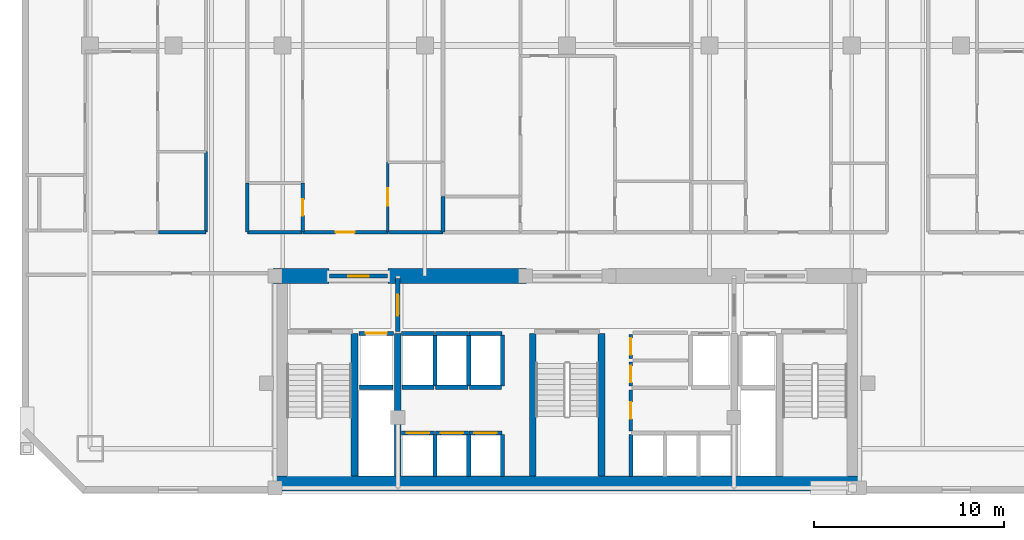
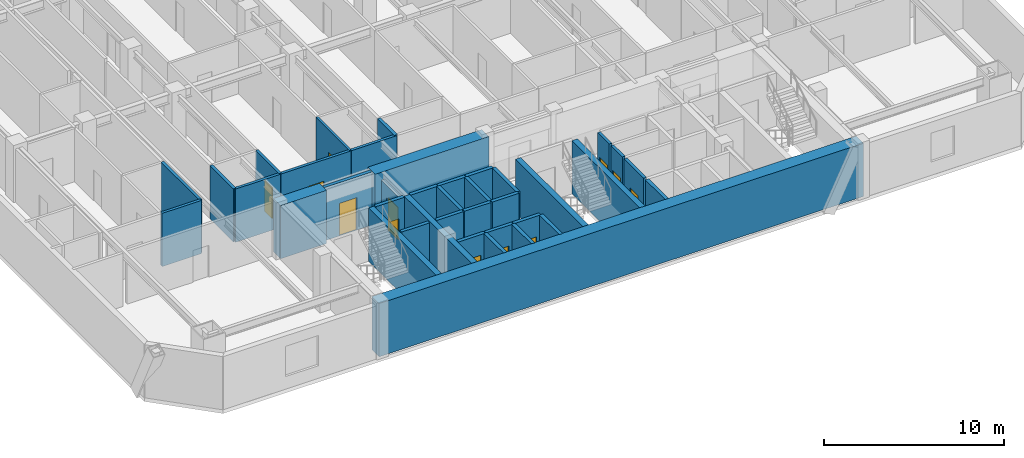
# One storey, part 3 of 10: 39 walls, 12 doors, 12 openings.
"""IFC4 building model written with IfcOpenShell, lengths in metres."""

import ifcopenshell
import ifcopenshell.guid

model = None  # the IFC model being written
_history = None  # IfcOwnerHistory: only IFC2X3 demands one
_inside = {}  # id of a spatial element -> (the spatial element, [elements in it])
_under = {}  # id of a project, library or spatial element -> (it, [spatial elements below it])
_declared = {}  # id of a project -> (the project, [libraries it declares])
_typed = {}  # id of a type object -> (the type object, [elements of that type])
_made_of = {}  # id of a material, layer set ... -> (it, [elements and type objects made of it])


def new_model(schema):
    """Start an empty IFC model of exactly this schema.

    Asked for "IFC4X3", IfcOpenShell would pick the latest addendum, in which some entities
    have other attributes; the version numbers below select the first issue.
    IFC2X3 requires an IfcOwnerHistory on every rooted entity: one is made here for all.
    """
    global model, _history
    if schema == "IFC4X3":
        model = ifcopenshell.file(schema_version=(4, 3, 0, 0))
    else:
        model = ifcopenshell.file(schema=schema)
    _inside.clear()
    _under.clear()
    _declared.clear()
    _typed.clear()
    _made_of.clear()
    _history = None
    if model.schema == "IFC2X3":
        org = make("IfcOrganization", Name="unknown")
        user = make(
            "IfcPersonAndOrganization",
            ThePerson=make("IfcPerson", FamilyName="unknown"),
            TheOrganization=org,
        )
        app = make(
            "IfcApplication",
            ApplicationDeveloper=org,
            Version="unknown",
            ApplicationFullName="unknown",
            ApplicationIdentifier="unknown",
        )
        _history = make(
            "IfcOwnerHistory",
            OwningUser=user,
            OwningApplication=app,
            ChangeAction="ADDED",
            CreationDate=0,
        )
    return model


def make(cls, **values):
    """One entity of the class cls with the attributes given. An attribute that is None is left unset."""
    return model.create_entity(
        cls, **{name: value for name, value in values.items() if value is not None}
    )


def rooted(cls, **values):
    """An entity with a GlobalId (a new one), such as an element, a storey or a relation."""
    return make(cls, GlobalId=ifcopenshell.guid.new(), OwnerHistory=_history, **values)


def si_unit(unit_type, name, prefix=None):
    """IfcSIUnit, for example si_unit("LENGTHUNIT", "METRE", prefix="MILLI")."""
    return make("IfcSIUnit", UnitType=unit_type, Prefix=prefix, Name=name)


def assignment(units):
    """IfcUnitAssignment: the units of a project."""
    return None if units is None else make("IfcUnitAssignment", Units=units)


def point(xyz):
    """IfcCartesianPoint."""
    return None if xyz is None else make("IfcCartesianPoint", Coordinates=xyz)


def direction(xyz):
    """IfcDirection."""
    return None if xyz is None else make("IfcDirection", DirectionRatios=xyz)


def frame(location, z_axis=None, x_axis=None):
    """IfcAxis2Placement3D, a coordinate frame: its origin and axes. An axis left out is left unset."""
    return make(
        "IfcAxis2Placement3D",
        Location=point(location),
        Axis=direction(z_axis),
        RefDirection=direction(x_axis),
    )


def frame_2d(location, x_axis=None):
    """IfcAxis2Placement2D, a coordinate frame in the plane: its origin and x axis."""
    return make(
        "IfcAxis2Placement2D", Location=point(location), RefDirection=direction(x_axis)
    )


def origin():
    """The frame at (0, 0, 0) with its axes left unset."""
    return frame((0.0, 0.0, 0.0))


def place(relative_to, where):
    """IfcLocalPlacement: puts the frame where relative to a parent placement (None: the world)."""
    return make(
        "IfcLocalPlacement", PlacementRelTo=relative_to, RelativePlacement=where
    )


def context(
    kind, dimensions, precision=None, world=None, true_north=None, identifier=None
):
    """IfcGeometricRepresentationContext, for example the 3D "Model" context."""
    return make(
        "IfcGeometricRepresentationContext",
        ContextIdentifier=identifier,
        ContextType=kind,
        CoordinateSpaceDimension=dimensions,
        Precision=precision,
        WorldCoordinateSystem=world,
        TrueNorth=true_north,
    )


def subcontext(parent, identifier, kind, view, scale=None):
    """IfcGeometricRepresentationSubContext, for example "Body" below "Model"."""
    return make(
        "IfcGeometricRepresentationSubContext",
        ContextIdentifier=identifier,
        ContextType=kind,
        ParentContext=parent,
        TargetScale=scale,
        TargetView=view,
    )


def project(units=None, contexts=None):
    """IfcProject with its units and contexts."""
    return rooted(
        "IfcProject",
        Name="project",
        RepresentationContexts=contexts,
        UnitsInContext=assignment(units),
    )


def spatial(cls, under=None, at=None, **own):
    """A site, building, storey or space (cls), placed at a placement, below another one or the project."""
    s = rooted(cls, ObjectPlacement=at, **own)
    if under is not None:
        _under.setdefault(under.id(), (under, []))[1].append(s)
    return s


def profile(cls, at=None, kind="AREA", **sizes):
    """A parametric profile (cls). Its sizes go by their IFC names, for example OverallWidth=200.0."""
    return make(cls, ProfileType=kind, Position=at, **sizes)


def rectangle(**sizes):
    """IfcRectangleProfileDef."""
    return profile("IfcRectangleProfileDef", **sizes)


def extrude(swept, where, along, depth):
    """IfcExtrudedAreaSolid: the profile swept, set in the frame where, extruded along a direction by depth."""
    return make(
        "IfcExtrudedAreaSolid",
        SweptArea=swept,
        Position=where,
        ExtrudedDirection=direction(along),
        Depth=depth,
    )


def shape(context_of_items, identifier, shape_type, items):
    """IfcShapeRepresentation: the items that make up one representation, for example the "Body"."""
    return make(
        "IfcShapeRepresentation",
        ContextOfItems=context_of_items,
        RepresentationIdentifier=identifier,
        RepresentationType=shape_type,
        Items=items,
    )


def material(Name=None, Category=None):
    """IfcMaterial."""
    return make("IfcMaterial", Name=Name, Category=Category)


def layer(
    of_material, thickness, ventilated=None, Name=None, Category=None, Priority=None
):
    """IfcMaterialLayer: one layer of a wall or slab, of a material (None: an air gap)."""
    return make(
        "IfcMaterialLayer",
        Material=of_material,
        LayerThickness=thickness,
        IsVentilated=ventilated,
        Name=Name,
        Category=Category,
        Priority=Priority,
    )


def layer_set(layers, Name=None):
    """IfcMaterialLayerSet."""
    return make("IfcMaterialLayerSet", MaterialLayers=layers, LayerSetName=Name)


def made_of(thing, what):
    """Note that an element or type object is made of a material, layer set ...; save() writes the relation."""
    if what is not None:
        _made_of.setdefault(what.id(), (what, []))[1].append(thing)
    return thing


def type_object(cls, material=None, **own):
    """A type object (cls), such as IfcWallType, which elements share."""
    return made_of(rooted(cls, **own), material)


def element(
    cls,
    number,
    at=None,
    inside=None,
    cuts=None,
    type_object=None,
    material=None,
    context=None,
    identifier="Body",
    shape_type=None,
    held_by="IfcProductDefinitionShape",
    body=None,
    shapes=None,
    **own,
):
    """One element of the class cls, such as IfcWall. Its Tag is "e" and its number.

    at: its placement. inside: the storey or other place that contains it. cuts: it is an
    opening in that element (IfcRelVoidsElement). A single representation is given by context,
    identifier, shape_type and body (its items); several are given by shapes. held_by: the class
    of the entity that holds the representations. save() writes the other relations.
    """
    e = rooted(cls, Tag="e%d" % number, ObjectPlacement=at, **own)
    if body is not None:
        shapes = [shape(context, identifier, shape_type, body)]
    if shapes is not None:
        e.Representation = make(held_by, Representations=shapes)
    if inside is not None:
        _inside.setdefault(inside.id(), (inside, []))[1].append(e)
    if cuts is not None:
        rooted(
            "IfcRelVoidsElement", RelatingBuildingElement=cuts, RelatedOpeningElement=e
        )
    if type_object is not None:
        _typed.setdefault(type_object.id(), (type_object, []))[1].append(e)
    return made_of(e, material)


def fill(opening, filler):
    """IfcRelFillsElement: the door or window that sits in an opening."""
    return rooted(
        "IfcRelFillsElement",
        RelatingOpeningElement=opening,
        RelatedBuildingElement=filler,
    )


def aggregate(whole, parts):
    """IfcRelAggregates: a whole, such as a stair, and the parts it consists of."""
    return rooted("IfcRelAggregates", RelatingObject=whole, RelatedObjects=parts)


def save(model, path):
    """Write the relations noted so far, then the file.

    IfcRelAggregates (storeys below a building ...), IfcRelContainedInSpatialStructure (elements
    in a storey), IfcRelDefinesByType, IfcRelAssociatesMaterial and IfcRelDeclares: one each for
    every whole, place, type object, material and project.
    """
    for whole, parts in _under.values():
        aggregate(whole, parts)
    for where, things in _inside.values():
        rooted(
            "IfcRelContainedInSpatialStructure",
            RelatedElements=things,
            RelatingStructure=where,
        )
    for kind, things in _typed.values():
        rooted("IfcRelDefinesByType", RelatedObjects=things, RelatingType=kind)
    for what, things in _made_of.values():
        rooted("IfcRelAssociatesMaterial", RelatedObjects=things, RelatingMaterial=what)
    for by, libraries in _declared.values():
        rooted("IfcRelDeclares", RelatingContext=by, RelatedDefinitions=libraries)
    model.write(path)


model = new_model("IFC4")

# Units and contexts
model_context = context("Model", 3, precision=1e-05, world=origin(), true_north=direction((0.0, 1.0)))
body_context = subcontext(model_context, "Body", "Model", "MODEL_VIEW")
ifc_project = project(units=[si_unit("LENGTHUNIT", "METRE"), si_unit("AREAUNIT", "SQUARE_METRE"), si_unit("VOLUMEUNIT", "CUBIC_METRE"), si_unit("PLANEANGLEUNIT", "RADIAN"), si_unit("MASSUNIT", "GRAM", prefix="KILO")], contexts=[model_context])

# Site, building, storey
site_placement = place(None, origin())
site = spatial("IfcSite", under=ifc_project, at=site_placement, CompositionType="ELEMENT")
building_placement = place(site_placement, origin())
building = spatial("IfcBuilding", under=site, at=building_placement, Name="Ventersveld Concourse Tower", CompositionType="ELEMENT")
storey_placement = place(building_placement, frame((0.0, 0.0, 56.75)))
storey = spatial("IfcBuildingStorey", under=building, at=storey_placement, Name="L13", CompositionType="ELEMENT", Elevation=56.75)

# Walls
ifc_material_1 = material(Name="Concrete C60/75", Category="concrete")
ifc_layer_1 = layer(ifc_material_1, 0.35009765625)
ifc_layer_set_1 = layer_set([ifc_layer_1], Name="Concrete C60/75")
wall_type_1 = type_object("IfcWallType", Name="WL-CORE-350L", PredefinedType="SHEAR", material=ifc_layer_set_1)
for number, where, z_axis, x_axis, name in (
    (1, (17.5400390625, 0.919921875, 0.0), (0.0, 0.0, 1.0), (0.0, 1.0, 0.0), "L13 Core Internal Shear Web W-ST1-E"),
    (2, (19.820068359375, 0.919921875, 0.0), (0.0, 0.0, 1.0), (0.0, 1.0, 0.0), "L13 Core Internal Shear Web W-FF1-E"),
    (3, (26.93994140625, 0.919921875, 0.0), (0.0, 0.0, 1.0), (0.0, 1.0, 0.0), "L13 Core Internal Shear Web W-ST3-W"),
    (4, (30.56005859375, 0.919921875, 0.0), (0.0, 0.0, 1.0), (0.0, 1.0, 0.0), "L13 Core Internal Shear Web W-ST3-E"),
):
    element("IfcWall", number, at=place(storey_placement, frame(where, z_axis=z_axis, x_axis=x_axis)), inside=storey, type_object=wall_type_1, Name=name, PredefinedType="SHEAR", context=body_context, shape_type="SweptSolid", body=[
        extrude(rectangle(XDim=7.5, YDim=0.35009765625, at=frame_2d((3.75, 0.0))), origin(), (0.0, 0.0, 1.0), 3.60009765625),
    ])
ifc_layer_2 = layer(ifc_material_1, 0.800048828125)
ifc_layer_set_2 = layer_set([ifc_layer_2], Name="Concrete C60/75")
wall_type_2 = type_object("IfcWallType", Name="WL-CORE-800", PredefinedType="SHEAR", material=ifc_layer_set_2)
wall_1_placement = place(storey_placement, frame((13.25, 0.52001953125, 0.0), z_axis=(0.0, 0.0, 1.0), x_axis=(1.0, 0.0, 0.0)))
element("IfcWall", 5, at=wall_1_placement, inside=storey, type_object=wall_type_2, Name="L13 Rear Core South Shear Wall", PredefinedType="SHEAR", context=body_context, shape_type="SweptSolid", body=[
    extrude(rectangle(XDim=31.0, YDim=0.800048828125, at=frame_2d((15.5, 0.0))), origin(), (0.0, 0.0, 1.0), 3.60009765625),
])
wall_2_placement = place(storey_placement, frame((13.25, 11.449951171875, 0.0), z_axis=(0.0, 0.0, 1.0), x_axis=(1.0, 0.0, 0.0)))
element("IfcWall", 6, at=wall_2_placement, inside=storey, type_object=wall_type_2, Name="L13 Rear Core North Shear Wall NW", PredefinedType="SHEAR", context=body_context, shape_type="SweptSolid", body=[
    extrude(rectangle(XDim=2.949951171875, YDim=0.800048828125, at=frame_2d((1.47509765625, 0.0))), origin(), (0.0, 0.0, 1.0), 3.60009765625),
])
wall_3_placement = place(storey_placement, frame((19.300048828125, 11.449951171875, 0.0), z_axis=(0.0, 0.0, 1.0), x_axis=(1.0, 0.0, 0.0)))
element("IfcWall", 7, at=wall_3_placement, inside=storey, type_object=wall_type_2, Name="L13 Rear Core North Shear Wall NML", PredefinedType="SHEAR", context=body_context, shape_type="SweptSolid", body=[
    extrude(rectangle(XDim=7.300048828125, YDim=0.800048828125, at=frame_2d((3.64990234375, 0.0))), origin(), (0.0, 0.0, 1.0), 3.60009765625),
])

# Wall, opening, door
ifc_material_2 = material(Name="Fire-rated autoclaved aerated masonry blockwork", Category="masonry")
ifc_layer_3 = layer(ifc_material_2, 0.179931640625)
ifc_layer_set_3 = layer_set([ifc_layer_3], Name="Fire-rated autoclaved aerated masonry blockwork")
wall_type_3 = type_object("IfcWallType", Name="WL-CORR-180", PredefinedType="PARTITIONING", material=ifc_layer_set_3)
wall_4_placement = place(storey_placement, frame((32.10009765625, 5.64990234375, 0.0), z_axis=(0.0, 0.0, 1.0), x_axis=(0.0, 1.0, 0.0)))
wall_4 = element("IfcWall", 8, at=wall_4_placement, inside=storey, type_object=wall_type_3, Name="L13 Core Passage Wall SP-L13-CBAY1S", PredefinedType="PARTITIONING", context=body_context, shape_type="SweptSolid", body=[
    extrude(rectangle(XDim=1.27001953125, YDim=0.179931640625, at=frame_2d((0.635009765625, 0.0))), origin(), (0.0, 0.0, 1.0), 3.60009765625),
])
opening_1_placement = place(wall_4_placement, frame((0.195068359375, 0.0, 0.0)))
opening_1 = element("IfcOpeningElement", 9, at=opening_1_placement, cuts=wall_4, Name="Opening FD5", PredefinedType="OPENING", context=body_context, shape_type="SweptSolid", body=[
    extrude(rectangle(XDim=0.8798828125, YDim=2.050048828125, at=frame_2d((0.43994140625, 1.02490234375))), frame((0.0, 0.10009765625, 0.0), z_axis=(0.0, -1.0, 0.0), x_axis=(1.0, 0.0, 0.0)), (0.0, 0.0, 1.0), 0.199951171875),
])
ifc_material_3 = material(Name="Galvanised painted steel", Category="steel")
door_type_1 = type_object("IfcDoorType", Name="DR-RISER-088", OperationType="NOTDEFINED", PredefinedType="DOOR", material=ifc_material_3)
door_1_placement = place(opening_1_placement, origin())
door_1 = element("IfcDoor", 10, at=door_1_placement, inside=storey, type_object=door_type_1, Name="L13 Core Room Door L13 Core Cleaner Store (CD-L13-0539)", OperationType="SINGLE_SWING_RIGHT", OverallHeight=2.050048828125, OverallWidth=0.8798828125, PredefinedType="DOOR", context=body_context, shape_type="SweptSolid", body=[
    extrude(rectangle(XDim=0.8798828125, YDim=2.050048828125, at=frame_2d((0.43994140625, 1.02490234375))), frame((0.0, 0.02490234375, 0.0), z_axis=(0.0, -1.0, 0.0), x_axis=(1.0, 0.0, 0.0)), (0.0, 0.0, 1.0), 0.050048828125),
])
fill(opening_1, door_1)

wall_5_placement = place(storey_placement, frame((32.10009765625, 7.10009765625, 0.0), z_axis=(0.0, 0.0, 1.0), x_axis=(0.0, 1.0, 0.0)))
wall_5 = element("IfcWall", 11, at=wall_5_placement, inside=storey, type_object=wall_type_3, Name="L13 Core Passage Wall SP-L13-CBAY1N", PredefinedType="PARTITIONING", context=body_context, shape_type="SweptSolid", body=[
    extrude(rectangle(XDim=1.27978515625, YDim=0.179931640625, at=frame_2d((0.639892578125, 0.0))), origin(), (0.0, 0.0, 1.0), 3.60009765625),
])
opening_2_placement = place(wall_5_placement, frame((0.199951171875, 0.0, 0.0)))
opening_2 = element("IfcOpeningElement", 12, at=opening_2_placement, cuts=wall_5, Name="Opening FD5", PredefinedType="OPENING", context=body_context, shape_type="SweptSolid", body=[
    extrude(rectangle(XDim=0.8798828125, YDim=2.050048828125, at=frame_2d((0.43994140625, 1.02490234375))), frame((0.0, 0.10009765625, 0.0), z_axis=(0.0, -1.0, 0.0), x_axis=(1.0, 0.0, 0.0)), (0.0, 0.0, 1.0), 0.199951171875),
])
door_2_placement = place(opening_2_placement, origin())
door_2 = element("IfcDoor", 13, at=door_2_placement, inside=storey, type_object=door_type_1, Name="L13 Core Room Door L13 Core Concierge Desk Room (CD-L13-0540)", OperationType="SINGLE_SWING_LEFT", OverallHeight=2.050048828125, OverallWidth=0.8798828125, PredefinedType="DOOR", context=body_context, shape_type="SweptSolid", body=[
    extrude(rectangle(XDim=0.8798828125, YDim=2.050048828125, at=frame_2d((0.43994140625, 1.02490234375))), frame((0.0, 0.02490234375, 0.0), z_axis=(0.0, -1.0, 0.0), x_axis=(1.0, 0.0, 0.0)), (0.0, 0.0, 1.0), 0.050048828125),
])
fill(opening_2, door_2)

wall_6_placement = place(storey_placement, frame((32.10009765625, 3.280029296875, 0.0), z_axis=(0.0, 0.0, 1.0), x_axis=(0.0, 1.0, 0.0)))
wall_6 = element("IfcWall", 14, at=wall_6_placement, inside=storey, type_object=wall_type_3, Name="L13 Core Passage Wall SP-L13-CBAY2", PredefinedType="PARTITIONING", context=body_context, shape_type="SweptSolid", body=[
    extrude(rectangle(XDim=2.169921875, YDim=0.179931640625, at=frame_2d((1.0849609375, 0.0))), origin(), (0.0, 0.0, 1.0), 3.60009765625),
])
opening_3_placement = place(wall_6_placement, frame((0.64501953125, 0.0, 0.0)))
opening_3 = element("IfcOpeningElement", 15, at=opening_3_placement, cuts=wall_6, Name="Opening FD5", PredefinedType="OPENING", context=body_context, shape_type="SweptSolid", body=[
    extrude(rectangle(XDim=0.8798828125, YDim=2.050048828125, at=frame_2d((0.43994140625, 1.02490234375))), frame((0.0, 0.10009765625, 0.0), z_axis=(0.0, -1.0, 0.0), x_axis=(1.0, 0.0, 0.0)), (0.0, 0.0, 1.0), 0.199951171875),
])
door_3_placement = place(opening_3_placement, origin())
door_3 = element("IfcDoor", 16, at=door_3_placement, inside=storey, type_object=door_type_1, Name="L13 Core Room Door L13 Core Linen Alcove Store (CD-L13-0541)", OperationType="SINGLE_SWING_RIGHT", OverallHeight=2.050048828125, OverallWidth=0.8798828125, PredefinedType="DOOR", context=body_context, shape_type="SweptSolid", body=[
    extrude(rectangle(XDim=0.8798828125, YDim=2.050048828125, at=frame_2d((0.43994140625, 1.02490234375))), frame((0.0, 0.02490234375, 0.0), z_axis=(0.0, -1.0, 0.0), x_axis=(1.0, 0.0, 0.0)), (0.0, 0.0, 1.0), 0.050048828125),
])
fill(opening_3, door_3)

# Walls
wall_7_placement = place(storey_placement, frame((9.7099609375, 13.764892578125, 0.0), z_axis=(0.0, 0.0, 1.0), x_axis=(0.0, 1.0, 0.0)))
element("IfcWall", 17, at=wall_7_placement, inside=storey, type_object=wall_type_3, Name="L13 Interior Partition SP-L13-COR-SP-L13-13NW-KIT", PredefinedType="PARTITIONING", context=body_context, shape_type="SweptSolid", body=[
    extrude(rectangle(XDim=4.24560546875, YDim=0.179931640625, at=frame_2d((2.122802734375, 0.0))), origin(), (0.0, 0.0, 1.0), 3.60009765625),
])
wall_8_placement = place(storey_placement, frame((7.197998046875, 13.77001953125, 0.0), z_axis=(0.0, 0.0, 1.0), x_axis=(1.0, 0.0, 0.0)))
element("IfcWall", 18, at=wall_8_placement, inside=storey, type_object=wall_type_3, Name="L13 Interior Partition SP-L13-COR-SP-L13-13NW-KIT", PredefinedType="PARTITIONING", context=body_context, shape_type="SweptSolid", body=[
    extrude(rectangle(XDim=2.51708984375, YDim=0.179931640625, at=frame_2d((1.258544921875, 0.0))), origin(), (0.0, 0.0, 1.0), 3.60009765625),
])

# Wall, opening, door
wall_9_placement = place(storey_placement, frame((14.802734375, 13.77001953125, 0.0), z_axis=(0.0, 0.0, 1.0), x_axis=(1.0, 0.0, 0.0)))
wall_9 = element("IfcWall", 19, at=wall_9_placement, inside=storey, type_object=wall_type_3, Name="L13 Interior Partition SP-L13-COR-SP-L13-13CW-FOY", PredefinedType="PARTITIONING", context=body_context, shape_type="SweptSolid", body=[
    extrude(rectangle(XDim=4.494384765625, YDim=0.179931640625, at=frame_2d((2.2470703125, 0.0))), origin(), (0.0, 0.0, 1.0), 3.60009765625),
])
opening_4_placement = place(wall_9_placement, frame((1.747314453125, 0.0, 0.0)))
opening_4 = element("IfcOpeningElement", 20, at=opening_4_placement, cuts=wall_9, Name="Opening FD3", PredefinedType="OPENING", context=body_context, shape_type="SweptSolid", body=[
    extrude(rectangle(XDim=1.0, YDim=2.14990234375, at=frame_2d((0.5, 1.074951171875))), frame((0.0, 0.10009765625, 0.0), z_axis=(0.0, -1.0, 0.0), x_axis=(1.0, 0.0, 0.0)), (0.0, 0.0, 1.0), 0.199951171875),
])
ifc_material_4 = material(Name="Solid-core hardwood veneer timber", Category="wood")
door_type_2 = type_object("IfcDoorType", Name="DR-FLAT-100", OperationType="NOTDEFINED", PredefinedType="DOOR", material=ifc_material_4)
door_4_placement = place(opening_4_placement, origin())
door_4 = element("IfcDoor", 21, at=door_4_placement, inside=storey, type_object=door_type_2, Name="L13 Interior Door SP-L13-COR to SP-L13-13CW-FOY (FD-L13-0546)", OperationType="SINGLE_SWING_RIGHT", OverallHeight=2.14990234375, OverallWidth=1.0, PredefinedType="DOOR", context=body_context, shape_type="SweptSolid", body=[
    extrude(rectangle(XDim=1.0, YDim=2.14990234375, at=frame_2d((0.5, 1.074951171875))), frame((0.0, 0.02490234375, 0.0), z_axis=(0.0, -1.0, 0.0), x_axis=(1.0, 0.0, 0.0)), (0.0, 0.0, 1.0), 0.050048828125),
])
fill(opening_4, door_4)

# Walls
wall_10_placement = place(storey_placement, frame((11.885009765625, 13.77001953125, 0.0), z_axis=(0.0, 0.0, 1.0), x_axis=(1.0, 0.0, 0.0)))
element("IfcWall", 22, at=wall_10_placement, inside=storey, type_object=wall_type_3, Name="L13 Interior Partition SP-L13-COR-SP-L13-13CW-BATH", PredefinedType="PARTITIONING", context=body_context, shape_type="SweptSolid", body=[
    extrude(rectangle(XDim=2.8876953125, YDim=0.179931640625, at=frame_2d((1.44384765625, 0.0))), origin(), (0.0, 0.0, 1.0), 3.60009765625),
])
wall_11_placement = place(storey_placement, frame((11.889892578125, 13.764892578125, 0.0), z_axis=(0.0, 0.0, 1.0), x_axis=(0.0, 1.0, 0.0)))
element("IfcWall", 23, at=wall_11_placement, inside=storey, type_object=wall_type_3, Name="L13 Interior Partition SP-L13-COR-SP-L13-13CW-BATH", PredefinedType="PARTITIONING", context=body_context, shape_type="SweptSolid", body=[
    extrude(rectangle(XDim=2.600830078125, YDim=0.179931640625, at=frame_2d((1.30029296875, 0.0))), origin(), (0.0, 0.0, 1.0), 3.60009765625),
])
wall_12_placement = place(storey_placement, frame((19.3271484375, 13.77001953125, 0.0), z_axis=(0.0, 0.0, 1.0), x_axis=(1.0, 0.0, 0.0)))
element("IfcWall", 24, at=wall_12_placement, inside=storey, type_object=wall_type_3, Name="L13 Interior Partition SP-L13-COR-SP-L13-13CW-KIT", PredefinedType="PARTITIONING", context=body_context, shape_type="SweptSolid", body=[
    extrude(rectangle(XDim=2.887939453125, YDim=0.179931640625, at=frame_2d((1.44384765625, 0.0))), origin(), (0.0, 0.0, 1.0), 3.60009765625),
])
ifc_layer_4 = layer(ifc_material_2, 0.199951171875)
ifc_layer_set_4 = layer_set([ifc_layer_4], Name="Fire-rated autoclaved aerated masonry blockwork")
wall_type_4 = type_object("IfcWallType", Name="WL-DEMISE-200", PredefinedType="PARTITIONING", material=ifc_layer_set_4)
wall_13_placement = place(storey_placement, frame((22.2099609375, 13.764892578125, 0.0), z_axis=(0.0, 0.0, 1.0), x_axis=(0.0, 1.0, 0.0)))
element("IfcWall", 25, at=wall_13_placement, inside=storey, type_object=wall_type_4, Name="L13 Interior Partition SP-L13-13CW-KIT-SP-L13-13CM-BATH", PredefinedType="PARTITIONING", context=body_context, shape_type="SweptSolid", body=[
    extrude(rectangle(XDim=1.8837890625, YDim=0.199951171875, at=frame_2d((0.94189453125, 0.0))), origin(), (0.0, 0.0, 1.0), 3.60009765625),
])
ifc_layer_5 = layer(ifc_material_2, 0.219970703125)
ifc_layer_set_5 = layer_set([ifc_layer_5], Name="Fire-rated autoclaved aerated masonry blockwork")
wall_type_5 = type_object("IfcWallType", Name="WL-HOIST-220", PredefinedType="SOLIDWALL", material=ifc_layer_set_5)
wall_14_placement = place(storey_placement, frame((17.800048828125, 5.590087890625, 0.0), z_axis=(0.0, 0.0, 1.0), x_axis=(1.0, 0.0, 0.0)))
element("IfcWall", 26, at=wall_14_placement, inside=storey, type_object=wall_type_5, Name="L13 Lift Hoistway Back Wall FFL-01", PredefinedType="SOLIDWALL", context=body_context, shape_type="SweptSolid", body=[
    extrude(rectangle(XDim=1.780029296875, YDim=0.219970703125, at=frame_2d((0.89013671875, 0.0))), origin(), (0.0, 0.0, 1.0), 3.60009765625),
])

# Wall, opening, door
wall_15_placement = place(storey_placement, frame((17.780029296875, 8.429931640625, 0.0), z_axis=(0.0, 0.0, 1.0), x_axis=(1.0, 0.0, 0.0)))
wall_15 = element("IfcWall", 27, at=wall_15_placement, inside=storey, type_object=wall_type_5, Name="L13 Lift Hoistway Front Wall FFL-01", PredefinedType="SOLIDWALL", context=body_context, shape_type="SweptSolid", body=[
    extrude(rectangle(XDim=1.820068359375, YDim=0.219970703125, at=frame_2d((0.91015625, 0.0))), origin(), (0.0, 0.0, 1.0), 3.60009765625),
])
opening_5_placement = place(wall_15_placement, frame((0.35009765625, 0.0, 0.0)))
opening_5 = element("IfcOpeningElement", 28, at=opening_5_placement, cuts=wall_15, Name="Opening LD1", PredefinedType="OPENING", context=body_context, shape_type="SweptSolid", body=[
    extrude(rectangle(XDim=1.1201171875, YDim=2.25, at=frame_2d((0.56005859375, 1.125))), frame((0.0, 0.1201171875, 0.0), z_axis=(0.0, -1.0, 0.0), x_axis=(1.0, 0.0, 0.0)), (0.0, 0.0, 1.0), 0.239990234375),
])
ifc_material_5 = material(Name="Brushed stainless steel 316", Category="steel")
door_type_3 = type_object("IfcDoorType", Name="LD-FF-112", OperationType="SLIDING_TO_LEFT", PredefinedType="DOOR", material=ifc_material_5)
door_5_placement = place(opening_5_placement, origin())
door_5 = element("IfcDoor", 29, at=door_5_placement, inside=storey, type_object=door_type_3, Name="L13 Lift landing door FFL-01 (LD-L13-FFL-01)", OperationType="SLIDING_TO_LEFT", OverallHeight=2.25, OverallWidth=1.1201171875, PredefinedType="DOOR", context=body_context, shape_type="SweptSolid", body=[
    extrude(rectangle(XDim=1.1201171875, YDim=2.25, at=frame_2d((0.56005859375, 1.125))), frame((0.0, 0.02490234375, 0.0), z_axis=(0.0, -1.0, 0.0), x_axis=(1.0, 0.0, 0.0)), (0.0, 0.0, 1.0), 0.050048828125),
])
fill(opening_5, door_5)

# Wall
wall_16_placement = place(storey_placement, frame((21.780029296875, 0.89990234375, 0.0), z_axis=(0.0, 0.0, 1.0), x_axis=(0.0, 1.0, 0.0)))
element("IfcWall", 30, at=wall_16_placement, inside=storey, type_object=wall_type_5, Name="L13 Lift Hoistway Side Wall PL-01E", PredefinedType="SOLIDWALL", context=body_context, shape_type="SweptSolid", body=[
    extrude(rectangle(XDim=2.2001953125, YDim=0.219970703125, at=frame_2d((1.10009765625, 0.0))), origin(), (0.0, 0.0, 1.0), 3.60009765625),
])

# Wall, opening, door
wall_17_placement = place(storey_placement, frame((20.02001953125, 3.179931640625, 0.0), z_axis=(0.0, 0.0, 1.0), x_axis=(1.0, 0.0, 0.0)))
wall_17 = element("IfcWall", 31, at=wall_17_placement, inside=storey, type_object=wall_type_5, Name="L13 Lift Hoistway Front Wall PL-01", PredefinedType="SOLIDWALL", context=body_context, shape_type="SweptSolid", body=[
    extrude(rectangle(XDim=1.739990234375, YDim=0.219970703125, at=frame_2d((0.8701171875, 0.0))), origin(), (0.0, 0.0, 1.0), 3.60009765625),
])
opening_6_placement = place(wall_17_placement, frame((0.280029296875, 0.0, 0.0)))
opening_6 = element("IfcOpeningElement", 32, at=opening_6_placement, cuts=wall_17, Name="Opening LD2", PredefinedType="OPENING", context=body_context, shape_type="SweptSolid", body=[
    extrude(rectangle(XDim=1.179931640625, YDim=2.199951171875, at=frame_2d((0.58984375, 1.10009765625))), frame((0.0, 0.1201171875, 0.0), z_axis=(0.0, -1.0, 0.0), x_axis=(1.0, 0.0, 0.0)), (0.0, 0.0, 1.0), 0.239990234375),
])
door_type_4 = type_object("IfcDoorType", Name="LD-PAX-118", OperationType="SLIDING_TO_LEFT", PredefinedType="DOOR", material=ifc_material_5)
door_6_placement = place(opening_6_placement, origin())
door_6 = element("IfcDoor", 33, at=door_6_placement, inside=storey, type_object=door_type_4, Name="L13 Lift landing door PL-01 (LD-L13-PL-01)", OperationType="SLIDING_TO_RIGHT", OverallHeight=2.199951171875, OverallWidth=1.179931640625, PredefinedType="DOOR", context=body_context, shape_type="SweptSolid", body=[
    extrude(rectangle(XDim=1.179931640625, YDim=2.199951171875, at=frame_2d((0.58984375, 1.10009765625))), frame((0.0, 0.02490234375, 0.0), z_axis=(0.0, -1.0, 0.0), x_axis=(1.0, 0.0, 0.0)), (0.0, 0.0, 1.0), 0.050048828125),
])
fill(opening_6, door_6)

# Wall
wall_18_placement = place(storey_placement, frame((23.56005859375, 0.89990234375, 0.0), z_axis=(0.0, 0.0, 1.0), x_axis=(0.0, 1.0, 0.0)))
element("IfcWall", 34, at=wall_18_placement, inside=storey, type_object=wall_type_5, Name="L13 Lift Hoistway Side Wall PL-02E", PredefinedType="SOLIDWALL", context=body_context, shape_type="SweptSolid", body=[
    extrude(rectangle(XDim=2.2001953125, YDim=0.219970703125, at=frame_2d((1.10009765625, 0.0))), origin(), (0.0, 0.0, 1.0), 3.60009765625),
])

# Wall, opening, door
wall_19_placement = place(storey_placement, frame((21.800048828125, 3.179931640625, 0.0), z_axis=(0.0, 0.0, 1.0), x_axis=(1.0, 0.0, 0.0)))
wall_19 = element("IfcWall", 35, at=wall_19_placement, inside=storey, type_object=wall_type_5, Name="L13 Lift Hoistway Front Wall PL-02", PredefinedType="SOLIDWALL", context=body_context, shape_type="SweptSolid", body=[
    extrude(rectangle(XDim=1.739990234375, YDim=0.219970703125, at=frame_2d((0.8701171875, 0.0))), origin(), (0.0, 0.0, 1.0), 3.60009765625),
])
opening_7_placement = place(wall_19_placement, frame((0.280029296875, 0.0, 0.0)))
opening_7 = element("IfcOpeningElement", 36, at=opening_7_placement, cuts=wall_19, Name="Opening LD2", PredefinedType="OPENING", context=body_context, shape_type="SweptSolid", body=[
    extrude(rectangle(XDim=1.179931640625, YDim=2.199951171875, at=frame_2d((0.58984375, 1.10009765625))), frame((0.0, 0.1201171875, 0.0), z_axis=(0.0, -1.0, 0.0), x_axis=(1.0, 0.0, 0.0)), (0.0, 0.0, 1.0), 0.239990234375),
])
door_7_placement = place(opening_7_placement, origin())
door_7 = element("IfcDoor", 37, at=door_7_placement, inside=storey, type_object=door_type_4, Name="L13 Lift landing door PL-02 (LD-L13-PL-02)", OperationType="SLIDING_TO_LEFT", OverallHeight=2.199951171875, OverallWidth=1.179931640625, PredefinedType="DOOR", context=body_context, shape_type="SweptSolid", body=[
    extrude(rectangle(XDim=1.179931640625, YDim=2.199951171875, at=frame_2d((0.58984375, 1.10009765625))), frame((0.0, 0.02490234375, 0.0), z_axis=(0.0, -1.0, 0.0), x_axis=(1.0, 0.0, 0.0)), (0.0, 0.0, 1.0), 0.050048828125),
])
fill(opening_7, door_7)

# Wall
wall_20_placement = place(storey_placement, frame((25.340087890625, 0.89990234375, 0.0), z_axis=(0.0, 0.0, 1.0), x_axis=(0.0, 1.0, 0.0)))
element("IfcWall", 38, at=wall_20_placement, inside=storey, type_object=wall_type_5, Name="L13 Lift Hoistway Side Wall PL-03E", PredefinedType="SOLIDWALL", context=body_context, shape_type="SweptSolid", body=[
    extrude(rectangle(XDim=2.2001953125, YDim=0.219970703125, at=frame_2d((1.10009765625, 0.0))), origin(), (0.0, 0.0, 1.0), 3.60009765625),
])

# Wall, opening, door
wall_21_placement = place(storey_placement, frame((23.580078125, 3.179931640625, 0.0), z_axis=(0.0, 0.0, 1.0), x_axis=(1.0, 0.0, 0.0)))
wall_21 = element("IfcWall", 39, at=wall_21_placement, inside=storey, type_object=wall_type_5, Name="L13 Lift Hoistway Front Wall PL-03", PredefinedType="SOLIDWALL", context=body_context, shape_type="SweptSolid", body=[
    extrude(rectangle(XDim=1.739990234375, YDim=0.219970703125, at=frame_2d((0.8701171875, 0.0))), origin(), (0.0, 0.0, 1.0), 3.60009765625),
])
opening_8_placement = place(wall_21_placement, frame((0.280029296875, 0.0, 0.0)))
opening_8 = element("IfcOpeningElement", 40, at=opening_8_placement, cuts=wall_21, Name="Opening LD2", PredefinedType="OPENING", context=body_context, shape_type="SweptSolid", body=[
    extrude(rectangle(XDim=1.179931640625, YDim=2.199951171875, at=frame_2d((0.58984375, 1.10009765625))), frame((0.0, 0.1201171875, 0.0), z_axis=(0.0, -1.0, 0.0), x_axis=(1.0, 0.0, 0.0)), (0.0, 0.0, 1.0), 0.239990234375),
])
door_8_placement = place(opening_8_placement, origin())
door_8 = element("IfcDoor", 41, at=door_8_placement, inside=storey, type_object=door_type_4, Name="L13 Lift landing door PL-03 (LD-L13-PL-03)", OperationType="SLIDING_TO_RIGHT", OverallHeight=2.199951171875, OverallWidth=1.179931640625, PredefinedType="DOOR", context=body_context, shape_type="SweptSolid", body=[
    extrude(rectangle(XDim=1.179931640625, YDim=2.199951171875, at=frame_2d((0.58984375, 1.10009765625))), frame((0.0, 0.02490234375, 0.0), z_axis=(0.0, -1.0, 0.0), x_axis=(1.0, 0.0, 0.0)), (0.0, 0.0, 1.0), 0.050048828125),
])
fill(opening_8, door_8)

# Walls
wall_22_placement = place(storey_placement, frame((32.1201171875, 0.89990234375, 0.0), z_axis=(0.0, 0.0, 1.0), x_axis=(0.0, 1.0, 0.0)))
element("IfcWall", 42, at=wall_22_placement, inside=storey, type_object=wall_type_5, Name="L13 Lift Hoistway Side Wall PM-01W", PredefinedType="SOLIDWALL", context=body_context, shape_type="SweptSolid", body=[
    extrude(rectangle(XDim=2.2001953125, YDim=0.219970703125, at=frame_2d((1.10009765625, 0.0))), origin(), (0.0, 0.0, 1.0), 3.60009765625),
])
wall_23_placement = place(storey_placement, frame((20.0400390625, 5.590087890625, 0.0), z_axis=(0.0, 0.0, 1.0), x_axis=(1.0, 0.0, 0.0)))
element("IfcWall", 43, at=wall_23_placement, inside=storey, type_object=wall_type_5, Name="L13 Lift Hoistway Back Wall PH-01", PredefinedType="SOLIDWALL", context=body_context, shape_type="SweptSolid", body=[
    extrude(rectangle(XDim=1.699951171875, YDim=0.219970703125, at=frame_2d((0.85009765625, 0.0))), origin(), (0.0, 0.0, 1.0), 3.60009765625),
])
wall_24_placement = place(storey_placement, frame((21.780029296875, 5.64990234375, 0.0), z_axis=(0.0, 0.0, 1.0), x_axis=(0.0, 1.0, 0.0)))
element("IfcWall", 44, at=wall_24_placement, inside=storey, type_object=wall_type_5, Name="L13 Lift Hoistway Side Wall PH-01E", PredefinedType="SOLIDWALL", context=body_context, shape_type="SweptSolid", body=[
    extrude(rectangle(XDim=2.7001953125, YDim=0.219970703125, at=frame_2d((1.35009765625, 0.0))), origin(), (0.0, 0.0, 1.0), 3.60009765625),
])
wall_25_placement = place(storey_placement, frame((20.02001953125, 8.429931640625, 0.0), z_axis=(0.0, 0.0, 1.0), x_axis=(1.0, 0.0, 0.0)))
element("IfcWall", 45, at=wall_25_placement, inside=storey, type_object=wall_type_5, Name="L13 Lift Hoistway Front Wall PH-01", PredefinedType="SOLIDWALL", context=body_context, shape_type="SweptSolid", body=[
    extrude(rectangle(XDim=1.739990234375, YDim=0.219970703125, at=frame_2d((0.8701171875, 0.0))), origin(), (0.0, 0.0, 1.0), 3.60009765625),
])
wall_26_placement = place(storey_placement, frame((21.820068359375, 5.590087890625, 0.0), z_axis=(0.0, 0.0, 1.0), x_axis=(1.0, 0.0, 0.0)))
element("IfcWall", 46, at=wall_26_placement, inside=storey, type_object=wall_type_5, Name="L13 Lift Hoistway Back Wall PH-02", PredefinedType="SOLIDWALL", context=body_context, shape_type="SweptSolid", body=[
    extrude(rectangle(XDim=1.699951171875, YDim=0.219970703125, at=frame_2d((0.85009765625, 0.0))), origin(), (0.0, 0.0, 1.0), 3.60009765625),
])
wall_27_placement = place(storey_placement, frame((23.56005859375, 5.64990234375, 0.0), z_axis=(0.0, 0.0, 1.0), x_axis=(0.0, 1.0, 0.0)))
element("IfcWall", 47, at=wall_27_placement, inside=storey, type_object=wall_type_5, Name="L13 Lift Hoistway Side Wall PH-02E", PredefinedType="SOLIDWALL", context=body_context, shape_type="SweptSolid", body=[
    extrude(rectangle(XDim=2.7001953125, YDim=0.219970703125, at=frame_2d((1.35009765625, 0.0))), origin(), (0.0, 0.0, 1.0), 3.60009765625),
])
wall_28_placement = place(storey_placement, frame((21.800048828125, 8.429931640625, 0.0), z_axis=(0.0, 0.0, 1.0), x_axis=(1.0, 0.0, 0.0)))
element("IfcWall", 48, at=wall_28_placement, inside=storey, type_object=wall_type_5, Name="L13 Lift Hoistway Front Wall PH-02", PredefinedType="SOLIDWALL", context=body_context, shape_type="SweptSolid", body=[
    extrude(rectangle(XDim=1.739990234375, YDim=0.219970703125, at=frame_2d((0.8701171875, 0.0))), origin(), (0.0, 0.0, 1.0), 3.60009765625),
])
wall_29_placement = place(storey_placement, frame((23.60009765625, 5.590087890625, 0.0), z_axis=(0.0, 0.0, 1.0), x_axis=(1.0, 0.0, 0.0)))
element("IfcWall", 49, at=wall_29_placement, inside=storey, type_object=wall_type_5, Name="L13 Lift Hoistway Back Wall PH-03", PredefinedType="SOLIDWALL", context=body_context, shape_type="SweptSolid", body=[
    extrude(rectangle(XDim=1.699951171875, YDim=0.219970703125, at=frame_2d((0.85009765625, 0.0))), origin(), (0.0, 0.0, 1.0), 3.60009765625),
])
wall_30_placement = place(storey_placement, frame((25.340087890625, 5.64990234375, 0.0), z_axis=(0.0, 0.0, 1.0), x_axis=(0.0, 1.0, 0.0)))
element("IfcWall", 50, at=wall_30_placement, inside=storey, type_object=wall_type_5, Name="L13 Lift Hoistway Side Wall PH-03E", PredefinedType="SOLIDWALL", context=body_context, shape_type="SweptSolid", body=[
    extrude(rectangle(XDim=2.7001953125, YDim=0.219970703125, at=frame_2d((1.35009765625, 0.0))), origin(), (0.0, 0.0, 1.0), 3.60009765625),
])
wall_31_placement = place(storey_placement, frame((23.580078125, 8.429931640625, 0.0), z_axis=(0.0, 0.0, 1.0), x_axis=(1.0, 0.0, 0.0)))
element("IfcWall", 51, at=wall_31_placement, inside=storey, type_object=wall_type_5, Name="L13 Lift Hoistway Front Wall PH-03", PredefinedType="SOLIDWALL", context=body_context, shape_type="SweptSolid", body=[
    extrude(rectangle(XDim=1.739990234375, YDim=0.219970703125, at=frame_2d((0.8701171875, 0.0))), origin(), (0.0, 0.0, 1.0), 3.60009765625),
])

# Wall, opening, door
wall_32_placement = place(storey_placement, frame((19.820068359375, 8.52001953125, 0.0), z_axis=(0.0, 0.0, 1.0), x_axis=(0.0, 1.0, 0.0)))
wall_32 = element("IfcWall", 52, at=wall_32_placement, inside=storey, type_object=wall_type_5, Name="L13 Firefighting Lobby Smoke-Stop Wall FFLW-SEP", PredefinedType="SOLIDWALL", context=body_context, shape_type="SweptSolid", body=[
    extrude(rectangle(XDim=2.800048828125, YDim=0.219970703125, at=frame_2d((1.39990234375, 0.0))), origin(), (0.0, 0.0, 1.0), 3.055419921875),
])
opening_9_placement = place(wall_32_placement, frame((0.85009765625, 0.0, 0.0)))
opening_9 = element("IfcOpeningElement", 53, at=opening_9_placement, cuts=wall_32, Name="Opening FD2", PredefinedType="OPENING", context=body_context, shape_type="SweptSolid", body=[
    extrude(rectangle(XDim=1.10009765625, YDim=2.199951171875, at=frame_2d((0.550048828125, 1.10009765625))), frame((0.0, 0.1201171875, 0.0), z_axis=(0.0, -1.0, 0.0), x_axis=(1.0, 0.0, 0.0)), (0.0, 0.0, 1.0), 0.239990234375),
])
door_type_5 = type_object("IfcDoorType", Name="DR-FFL-110", OperationType="NOTDEFINED", PredefinedType="DOOR", material=ifc_material_3)
door_9_placement = place(opening_9_placement, origin())
door_9 = element("IfcDoor", 54, at=door_9_placement, inside=storey, type_object=door_type_5, Name="L13 Firefighting Lobby Door FFLW-SEP (FD-L13-0534)", OperationType="SINGLE_SWING_LEFT", OverallHeight=2.199951171875, OverallWidth=1.10009765625, PredefinedType="DOOR", context=body_context, shape_type="SweptSolid", body=[
    extrude(rectangle(XDim=1.10009765625, YDim=2.199951171875, at=frame_2d((0.550048828125, 1.10009765625))), frame((0.0, 0.02490234375, 0.0), z_axis=(0.0, -1.0, 0.0), x_axis=(1.0, 0.0, 0.0)), (0.0, 0.0, 1.0), 0.050048828125),
])
fill(opening_9, door_9)

wall_33_placement = place(storey_placement, frame((16.22998046875, 11.449951171875, 0.0), z_axis=(0.0, 0.0, 1.0), x_axis=(1.0, 0.0, 0.0)))
wall_33 = element("IfcWall", 55, at=wall_33_placement, inside=storey, type_object=wall_type_5, Name="L13 Core North Fire Portal FFLW-OUT", PredefinedType="SOLIDWALL", context=body_context, shape_type="SweptSolid", body=[
    extrude(rectangle(XDim=3.0400390625, YDim=0.219970703125, at=frame_2d((1.52001953125, 0.0))), origin(), (0.0, 0.0, 1.0), 3.60009765625),
])
opening_10_placement = place(wall_33_placement, frame((0.969970703125, 0.0, 0.0)))
opening_10 = element("IfcOpeningElement", 56, at=opening_10_placement, cuts=wall_33, Name="Opening FD2", PredefinedType="OPENING", context=body_context, shape_type="SweptSolid", body=[
    extrude(rectangle(XDim=1.10009765625, YDim=2.199951171875, at=frame_2d((0.550048828125, 1.10009765625))), frame((0.0, 0.1201171875, 0.0), z_axis=(0.0, -1.0, 0.0), x_axis=(1.0, 0.0, 0.0)), (0.0, 0.0, 1.0), 0.239990234375),
])
door_10_placement = place(opening_10_placement, origin())
door_10 = element("IfcDoor", 57, at=door_10_placement, inside=storey, type_object=door_type_5, Name="L13 Core Lobby Fire Door FFLW-OUT (FD-L13-0536)", OperationType="SINGLE_SWING_RIGHT", OverallHeight=2.199951171875, OverallWidth=1.10009765625, PredefinedType="DOOR", context=body_context, shape_type="SweptSolid", body=[
    extrude(rectangle(XDim=1.10009765625, YDim=2.199951171875, at=frame_2d((0.550048828125, 1.10009765625))), frame((0.0, 0.02490234375, 0.0), z_axis=(0.0, -1.0, 0.0), x_axis=(1.0, 0.0, 0.0)), (0.0, 0.0, 1.0), 0.050048828125),
])
fill(opening_10, door_10)

ifc_material_6 = material(Name="Autoclaved aerated masonry blockwork", Category="masonry")
ifc_layer_6 = layer(ifc_material_6, 0.14990234375)
ifc_layer_set_6 = layer_set([ifc_layer_6], Name="Autoclaved aerated masonry blockwork")
wall_type_6 = type_object("IfcWallType", Name="WL-INT-150", PredefinedType="PARTITIONING", material=ifc_layer_set_6)
wall_34_placement = place(storey_placement, frame((19.292236328125, 13.764892578125, 0.0), z_axis=(0.0, 0.0, 1.0), x_axis=(0.0, 1.0, 0.0)))
wall_34 = element("IfcWall", 58, at=wall_34_placement, inside=storey, type_object=wall_type_6, Name="L13 Interior Partition SP-L13-13CW-FOY-SP-L13-13CW-KIT", PredefinedType="PARTITIONING", context=body_context, shape_type="SweptSolid", body=[
    extrude(rectangle(XDim=3.696533203125, YDim=0.14990234375, at=frame_2d((1.84814453125, 0.0))), origin(), (0.0, 0.0, 1.0), 3.60009765625),
])
opening_11_placement = place(wall_34_placement, frame((1.38818359375, 0.0, 0.0)))
opening_11 = element("IfcOpeningElement", 59, at=opening_11_placement, cuts=wall_34, Name="Opening ID1", PredefinedType="OPENING", context=body_context, shape_type="SweptSolid", body=[
    extrude(rectangle(XDim=0.919921875, YDim=2.10009765625, at=frame_2d((0.4599609375, 1.050048828125))), frame((0.0, 0.0849609375, 0.0), z_axis=(0.0, -1.0, 0.0), x_axis=(1.0, 0.0, 0.0)), (0.0, 0.0, 1.0), 0.169921875),
])
door_type_6 = type_object("IfcDoorType", Name="DR-ROOM-092", OperationType="NOTDEFINED", PredefinedType="DOOR", material=ifc_material_4)
door_11_placement = place(opening_11_placement, origin())
door_11 = element("IfcDoor", 60, at=door_11_placement, inside=storey, type_object=door_type_6, Name="L13 Interior Door SP-L13-13CW-FOY to SP-L13-13CW-KIT (D-L13-0571)", OperationType="SINGLE_SWING_LEFT", OverallHeight=2.10009765625, OverallWidth=0.919921875, PredefinedType="DOOR", context=body_context, shape_type="SweptSolid", body=[
    extrude(rectangle(XDim=0.919921875, YDim=2.10009765625, at=frame_2d((0.4599609375, 1.050048828125))), frame((0.0, 0.02490234375, 0.0), z_axis=(0.0, -1.0, 0.0), x_axis=(1.0, 0.0, 0.0)), (0.0, 0.0, 1.0), 0.050048828125),
])
fill(opening_11, door_11)

ifc_layer_7 = layer(ifc_material_6, 0.1650390625)
ifc_layer_set_7 = layer_set([ifc_layer_7], Name="Autoclaved aerated masonry blockwork")
wall_type_7 = type_object("IfcWallType", Name="WL-WET-165", PredefinedType="PLUMBINGWALL", material=ifc_layer_set_7)
wall_35_placement = place(storey_placement, frame((14.807861328125, 13.764892578125, 0.0), z_axis=(0.0, 0.0, 1.0), x_axis=(0.0, 1.0, 0.0)))
wall_35 = element("IfcWall", 61, at=wall_35_placement, inside=storey, type_object=wall_type_7, Name="L13 Interior Partition SP-L13-13CW-FOY-SP-L13-13CW-BATH", PredefinedType="PLUMBINGWALL", context=body_context, shape_type="SweptSolid", body=[
    extrude(rectangle(XDim=2.600830078125, YDim=0.1650390625, at=frame_2d((1.30029296875, 0.0))), origin(), (0.0, 0.0, 1.0), 3.60009765625),
])
opening_12_placement = place(wall_35_placement, frame((0.875244140625, 0.0, 0.0)))
opening_12 = element("IfcOpeningElement", 62, at=opening_12_placement, cuts=wall_35, Name="Opening ID2", PredefinedType="OPENING", context=body_context, shape_type="SweptSolid", body=[
    extrude(rectangle(XDim=0.85009765625, YDim=2.10009765625, at=frame_2d((0.425048828125, 1.050048828125))), frame((0.0, 0.092529296875, 0.0), z_axis=(0.0, -1.0, 0.0), x_axis=(1.0, 0.0, 0.0)), (0.0, 0.0, 1.0), 0.18505859375),
])
door_type_7 = type_object("IfcDoorType", Name="DR-BATH-085", OperationType="NOTDEFINED", PredefinedType="DOOR", material=ifc_material_4)
door_12_placement = place(opening_12_placement, origin())
door_12 = element("IfcDoor", 63, at=door_12_placement, inside=storey, type_object=door_type_7, Name="L13 Interior Door SP-L13-13CW-FOY to SP-L13-13CW-BATH (D-L13-0569)", OperationType="SINGLE_SWING_LEFT", OverallHeight=2.10009765625, OverallWidth=0.85009765625, PredefinedType="DOOR", context=body_context, shape_type="SweptSolid", body=[
    extrude(rectangle(XDim=0.85009765625, YDim=2.10009765625, at=frame_2d((0.425048828125, 1.050048828125))), frame((0.0, 0.02490234375, 0.0), z_axis=(0.0, -1.0, 0.0), x_axis=(1.0, 0.0, 0.0)), (0.0, 0.0, 1.0), 0.050048828125),
])
fill(opening_12, door_12)

save(model, "model.ifc")
